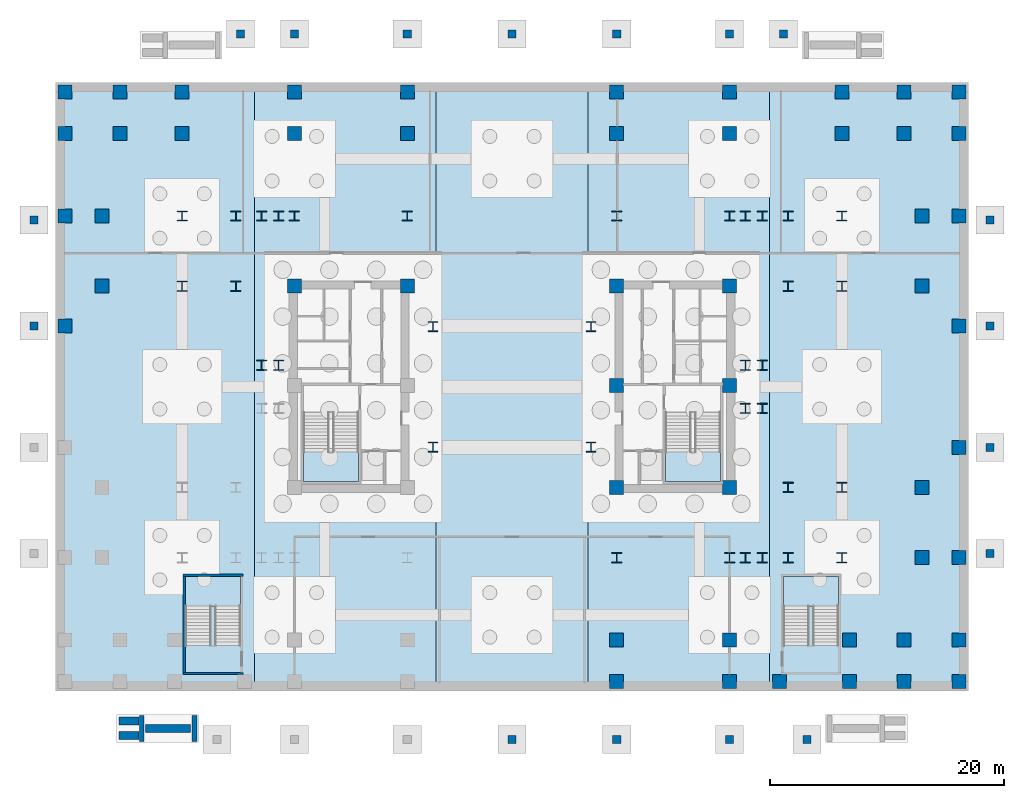
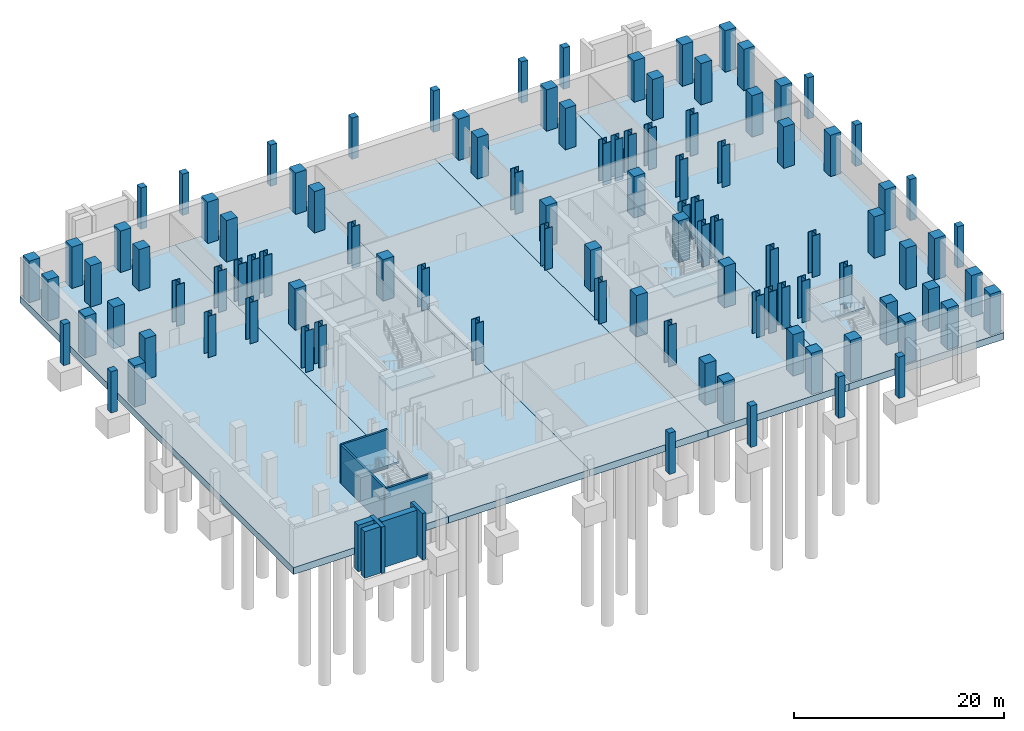
# One storey, part 2 of 10: 102 columns, 9 slabs, 8 walls, 4 elements without a shape of their own.
"""IFC4 building model written with IfcOpenShell, lengths in metres."""

from ifc_helpers import new_model, si_unit, direction, frame, frame_2d, origin, origin_2d, place, context, subcontext, project, spatial, polyline, rectangle, i_section, outline, extrude, material, layer, layer_set, material_profile, profile_set, type_object, element, aggregate, save


model = new_model("IFC4")

# Units and contexts
model_context = context("Model", 3, precision=1e-05, world=origin(), true_north=direction((0.0, 1.0)))
body_context = subcontext(model_context, "Body", "Model", "MODEL_VIEW")
ifc_project = project(units=[si_unit("LENGTHUNIT", "METRE"), si_unit("AREAUNIT", "SQUARE_METRE"), si_unit("VOLUMEUNIT", "CUBIC_METRE"), si_unit("PLANEANGLEUNIT", "RADIAN"), si_unit("MASSUNIT", "GRAM", prefix="KILO")], contexts=[model_context])

# Site, building, storey
site_placement = place(None, origin())
site = spatial("IfcSite", under=ifc_project, at=site_placement, CompositionType="ELEMENT")
building_placement = place(site_placement, origin())
building = spatial("IfcBuilding", under=site, at=building_placement, Name="Velakula Bourse", CompositionType="ELEMENT")
storey_placement = place(building_placement, frame((0.0, 0.0, -9.60009765625)))
storey = spatial("IfcBuildingStorey", under=building, at=storey_placement, Name="B02", CompositionType="ELEMENT", Elevation=-9.60009765625)

# Columns
ifc_material_1 = material(Name="Concrete M70 (fck 70 MPa)", Category="concrete")
ifc_material_profile_1 = material_profile(ifc_material_1, rectangle(XDim=1.199951171875, YDim=1.199951171875, at=origin_2d()), Name="Concrete M70 (fck 70 MPa)")
ifc_profile_set_1 = profile_set([ifc_material_profile_1], Name="Concrete M70 (fck 70 MPa)")
column_type_1 = type_object("IfcColumnType", Name="COL-RC-1200", PredefinedType="COLUMN", material=ifc_profile_set_1)
for number, where, z_axis, x_axis, name in (
    (1, (-8.949951171875, 8.60009765625, 0.0), (0.0, 0.0, 1.0), (1.0, 0.0, 0.0), "B02 Core Boundary Column 03"),
    (2, (-18.60009765625, 8.60009765625, 0.0), (0.0, 0.0, 1.0), (1.0, 0.0, 0.0), "B02 Core Boundary Column 06"),
    (3, (8.949951171875, -8.60009765625, 0.0), (0.0, 0.0, 1.0), (1.0, 0.0, 0.0), "B02 Core Boundary Column 07"),
    (4, (8.949951171875, 0.10009765625, 0.0), (0.0, 0.0, 1.0), (1.0, 0.0, 0.0), "B02 Core Boundary Column 08"),
    (5, (8.949951171875, 8.60009765625, 0.0), (0.0, 0.0, 1.0), (1.0, 0.0, 0.0), "B02 Core Boundary Column 09"),
    (6, (18.60009765625, -8.60009765625, 0.0), (0.0, 0.0, 1.0), (1.0, 0.0, 0.0), "B02 Core Boundary Column 10"),
    (7, (18.60009765625, 0.10009765625, 0.0), (0.0, 0.0, 1.0), (1.0, 0.0, 0.0), "B02 Core Boundary Column 11"),
    (8, (18.60009765625, 8.60009765625, 0.0), (0.0, 0.0, 1.0), (1.0, 0.0, 0.0), "B02 Core Boundary Column 12"),
    (9, (-35.050048828125, 8.60009765625, 0.0), (0.0, 0.0, 1.0), (1.0, 0.0, 0.0), "B02 Station Podium Grid Column 03"),
    (10, (-35.050048828125, 14.60009765625, 0.0), (0.0, 0.0, 1.0), (1.0, 0.0, 0.0), "B02 Station Podium Grid Column 04"),
    (11, (35.050048828125, -14.60009765625, 0.0), (0.0, 0.0, 1.0), (1.0, 0.0, 0.0), "B02 Station Podium Grid Column 05"),
    (12, (35.050048828125, -8.60009765625, 0.0), (0.0, 0.0, 1.0), (1.0, 0.0, 0.0), "B02 Station Podium Grid Column 06"),
    (13, (35.050048828125, 8.60009765625, 0.0), (0.0, 0.0, 1.0), (1.0, 0.0, 0.0), "B02 Station Podium Grid Column 07"),
    (14, (35.050048828125, 14.60009765625, 0.0), (0.0, 0.0, 1.0), (1.0, 0.0, 0.0), "B02 Station Podium Grid Column 08"),
    (15, (-38.199951171875, 21.64990234375, 0.0), (0.0, 0.0, 1.0), (1.0, 0.0, 0.0), "B02 Station Podium Grid Column 10"),
    (16, (-33.5, 21.64990234375, 0.0), (0.0, 0.0, 1.0), (1.0, 0.0, 0.0), "B02 Station Podium Grid Column 12"),
    (17, (-28.199951171875, 21.64990234375, 0.0), (0.0, 0.0, 1.0), (1.0, 0.0, 0.0), "B02 Station Podium Grid Column 14"),
    (18, (-18.60009765625, 21.64990234375, 0.0), (0.0, 0.0, 1.0), (1.0, 0.0, 0.0), "B02 Station Podium Grid Column 16"),
    (19, (-8.949951171875, 21.64990234375, 0.0), (0.0, 0.0, 1.0), (1.0, 0.0, 0.0), "B02 Station Podium Grid Column 18"),
    (20, (8.949951171875, -21.64990234375, 0.0), (0.0, 0.0, 1.0), (1.0, 0.0, 0.0), "B02 Station Podium Grid Column 19"),
    (21, (8.949951171875, 21.64990234375, 0.0), (0.0, 0.0, 1.0), (1.0, 0.0, 0.0), "B02 Station Podium Grid Column 20"),
    (22, (18.60009765625, -21.64990234375, 0.0), (0.0, 0.0, 1.0), (1.0, 0.0, 0.0), "B02 Station Podium Grid Column 21"),
    (23, (18.60009765625, 21.64990234375, 0.0), (0.0, 0.0, 1.0), (1.0, 0.0, 0.0), "B02 Station Podium Grid Column 22"),
    (24, (28.85009765625, -21.64990234375, 0.0), (0.0, 0.0, 1.0), (1.0, 0.0, 0.0), "B02 Station Podium Grid Column 23"),
    (25, (28.199951171875, 21.64990234375, 0.0), (0.0, 0.0, 1.0), (1.0, 0.0, 0.0), "B02 Station Podium Grid Column 24"),
    (26, (33.5, -21.64990234375, 0.0), (0.0, 0.0, 1.0), (1.0, 0.0, 0.0), "B02 Station Podium Grid Column 25"),
    (27, (33.5, 21.64990234375, 0.0), (0.0, 0.0, 1.0), (1.0, 0.0, 0.0), "B02 Station Podium Grid Column 26"),
    (28, (38.199951171875, -21.64990234375, 0.0), (0.0, 0.0, 1.0), (1.0, 0.0, 0.0), "B02 Station Podium Grid Column 27"),
    (29, (38.199951171875, 21.64990234375, 0.0), (0.0, 0.0, 1.0), (1.0, 0.0, 0.0), "B02 Station Podium Grid Column 28"),
    (30, (-38.199951171875, 25.199951171875, 0.0), (0.0, 0.0, 1.0), (1.0, 0.0, 0.0), "B02 Station Podium Grid Column 30"),
    (31, (-33.5, 25.199951171875, 0.0), (0.0, 0.0, 1.0), (1.0, 0.0, 0.0), "B02 Station Podium Grid Column 32"),
    (32, (-28.199951171875, 25.199951171875, 0.0), (0.0, 0.0, 1.0), (1.0, 0.0, 0.0), "B02 Station Podium Grid Column 34"),
    (33, (22.85009765625, -25.199951171875, 0.0), (0.0, 0.0, 1.0), (1.0, 0.0, 0.0), "B02 Station Podium Grid Column 36"),
    (34, (-18.60009765625, 25.199951171875, 0.0), (0.0, 0.0, 1.0), (1.0, 0.0, 0.0), "B02 Station Podium Grid Column 40"),
    (35, (-8.949951171875, 25.199951171875, 0.0), (0.0, 0.0, 1.0), (1.0, 0.0, 0.0), "B02 Station Podium Grid Column 42"),
    (36, (8.949951171875, -25.199951171875, 0.0), (0.0, 0.0, 1.0), (1.0, 0.0, 0.0), "B02 Station Podium Grid Column 43"),
    (37, (8.949951171875, 25.199951171875, 0.0), (0.0, 0.0, 1.0), (1.0, 0.0, 0.0), "B02 Station Podium Grid Column 44"),
    (38, (18.60009765625, -25.199951171875, 0.0), (0.0, 0.0, 1.0), (1.0, 0.0, 0.0), "B02 Station Podium Grid Column 45"),
    (39, (18.60009765625, 25.199951171875, 0.0), (0.0, 0.0, 1.0), (1.0, 0.0, 0.0), "B02 Station Podium Grid Column 46"),
    (40, (28.85009765625, -25.199951171875, 0.0), (0.0, 0.0, 1.0), (1.0, 0.0, 0.0), "B02 Station Podium Grid Column 47"),
    (41, (28.199951171875, 25.199951171875, 0.0), (0.0, 0.0, 1.0), (1.0, 0.0, 0.0), "B02 Station Podium Grid Column 48"),
    (42, (33.5, -25.199951171875, 0.0), (0.0, 0.0, 1.0), (1.0, 0.0, 0.0), "B02 Station Podium Grid Column 49"),
    (43, (33.5, 25.199951171875, 0.0), (0.0, 0.0, 1.0), (1.0, 0.0, 0.0), "B02 Station Podium Grid Column 50"),
    (44, (38.199951171875, -25.199951171875, 0.0), (0.0, 0.0, 1.0), (1.0, 0.0, 0.0), "B02 Station Podium Grid Column 51"),
    (45, (38.199951171875, 25.199951171875, 0.0), (0.0, 0.0, 1.0), (1.0, 0.0, 0.0), "B02 Station Podium Grid Column 52"),
    (46, (-38.199951171875, 5.199951171875, 0.0), (0.0, 0.0, 1.0), (1.0, 0.0, 0.0), "B02 Station Podium Grid Column 55"),
    (47, (-38.199951171875, 14.60009765625, 0.0), (0.0, 0.0, 1.0), (1.0, 0.0, 0.0), "B02 Station Podium Grid Column 56"),
    (48, (38.199951171875, -14.60009765625, 0.0), (0.0, 0.0, 1.0), (1.0, 0.0, 0.0), "B02 Station Podium Grid Column 57"),
    (49, (38.199951171875, -5.199951171875, 0.0), (0.0, 0.0, 1.0), (1.0, 0.0, 0.0), "B02 Station Podium Grid Column 58"),
    (50, (38.199951171875, 5.199951171875, 0.0), (0.0, 0.0, 1.0), (1.0, 0.0, 0.0), "B02 Station Podium Grid Column 59"),
    (51, (38.199951171875, 14.60009765625, 0.0), (0.0, 0.0, 1.0), (1.0, 0.0, 0.0), "B02 Station Podium Grid Column 60"),
):
    element("IfcColumn", number, at=place(storey_placement, frame(where, z_axis=z_axis, x_axis=x_axis)), inside=storey, type_object=column_type_1, Name=name, PredefinedType="COLUMN", context=body_context, shape_type="SweptSolid", body=[
        extrude(rectangle(XDim=1.199951171875, YDim=1.199951171875, at=origin_2d()), origin(), (0.0, 0.0, 1.0), 4.800048828125),
    ])
ifc_material_2 = material(Name="Concrete M50 (fck 50 MPa)", Category="concrete")
ifc_material_profile_2 = material_profile(ifc_material_2, rectangle(XDim=0.699951171875, YDim=0.699951171875, at=origin_2d()), Name="Concrete M50 (fck 50 MPa)")
ifc_profile_set_2 = profile_set([ifc_material_profile_2], Name="Concrete M50 (fck 50 MPa)")
column_type_2 = type_object("IfcColumnType", Name="COL-RC-700", PredefinedType="COLUMN", material=ifc_profile_set_2)
for number, where, z_axis, x_axis, name in (
    (52, (0.0, -30.14990234375, 0.0), (0.0, 0.0, 1.0), (1.0, 0.0, 0.0), "B02 Forecourt Support Pier 04"),
    (53, (8.949951171875, -30.14990234375, 0.0), (0.0, 0.0, 1.0), (1.0, 0.0, 0.0), "B02 Forecourt Support Pier 05"),
    (54, (18.60009765625, -30.14990234375, 0.0), (0.0, 0.0, 1.0), (1.0, 0.0, 0.0), "B02 Forecourt Support Pier 06"),
    (55, (25.199951171875, -30.14990234375, 0.0), (0.0, 0.0, 1.0), (1.0, 0.0, 0.0), "B02 Forecourt Support Pier 07"),
    (56, (-23.199951171875, 30.14990234375, 0.0), (0.0, 0.0, 1.0), (1.0, 0.0, 0.0), "B02 Forecourt Support Pier 08"),
    (57, (-18.60009765625, 30.14990234375, 0.0), (0.0, 0.0, 1.0), (1.0, 0.0, 0.0), "B02 Forecourt Support Pier 09"),
    (58, (-8.949951171875, 30.14990234375, 0.0), (0.0, 0.0, 1.0), (1.0, 0.0, 0.0), "B02 Forecourt Support Pier 10"),
    (59, (0.0, 30.14990234375, 0.0), (0.0, 0.0, 1.0), (1.0, 0.0, 0.0), "B02 Forecourt Support Pier 11"),
    (60, (8.949951171875, 30.14990234375, 0.0), (0.0, 0.0, 1.0), (1.0, 0.0, 0.0), "B02 Forecourt Support Pier 12"),
    (61, (18.60009765625, 30.14990234375, 0.0), (0.0, 0.0, 1.0), (1.0, 0.0, 0.0), "B02 Forecourt Support Pier 13"),
    (62, (23.199951171875, 30.14990234375, 0.0), (0.0, 0.0, 1.0), (1.0, 0.0, 0.0), "B02 Forecourt Support Pier 14"),
    (63, (-40.85009765625, 5.199951171875, 0.0), (0.0, 0.0, 1.0), (1.0, 0.0, 0.0), "B02 Forecourt Support Pier 17"),
    (64, (-40.85009765625, 14.25, 0.0), (0.0, 0.0, 1.0), (1.0, 0.0, 0.0), "B02 Forecourt Support Pier 18"),
    (65, (40.85009765625, -14.25, 0.0), (0.0, 0.0, 1.0), (1.0, 0.0, 0.0), "B02 Forecourt Support Pier 19"),
    (66, (40.85009765625, -5.199951171875, 0.0), (0.0, 0.0, 1.0), (1.0, 0.0, 0.0), "B02 Forecourt Support Pier 20"),
    (67, (40.85009765625, 5.199951171875, 0.0), (0.0, 0.0, 1.0), (1.0, 0.0, 0.0), "B02 Forecourt Support Pier 21"),
    (68, (40.85009765625, 14.25, 0.0), (0.0, 0.0, 1.0), (1.0, 0.0, 0.0), "B02 Forecourt Support Pier 22"),
):
    element("IfcColumn", number, at=place(storey_placement, frame(where, z_axis=z_axis, x_axis=x_axis)), inside=storey, type_object=column_type_2, Name=name, PredefinedType="COLUMN", context=body_context, shape_type="SweptSolid", body=[
        extrude(rectangle(XDim=0.699951171875, YDim=0.699951171875, at=origin_2d()), origin(), (0.0, 0.0, 1.0), 4.800048828125),
    ])
ifc_material_3 = material(Name="Steel IS 2062 Grade 450 (E450)", Category="steel")
ifc_material_profile_3 = material_profile(ifc_material_3, i_section(OverallWidth=0.85009765625, OverallDepth=0.85009765625, WebThickness=0.031982421875, FlangeThickness=0.048095703125, at=origin_2d()), Name="Steel IS 2062 Grade 450 (E450)")
ifc_profile_set_3 = profile_set([ifc_material_profile_3], Name="Steel IS 2062 Grade 450 (E450)")
column_type_3 = type_object("IfcColumnType", Name="COL-STL-850", PredefinedType="COLUMN", material=ifc_profile_set_3)
for number, where, z_axis, x_axis, name in (
    (69, (-6.75, -5.14990234375, 0.0), (0.0, 0.0, 1.0), (1.0, 0.0, 0.0), "B02 Central Spine Column 01"),
    (70, (-6.75, 5.14990234375, 0.0), (0.0, 0.0, 1.0), (1.0, 0.0, 0.0), "B02 Central Spine Column 02"),
    (71, (6.75, -5.14990234375, 0.0), (0.0, 0.0, 1.0), (1.0, 0.0, 0.0), "B02 Central Spine Column 03"),
    (72, (6.75, 5.14990234375, 0.0), (0.0, 0.0, 1.0), (1.0, 0.0, 0.0), "B02 Central Spine Column 04"),
    (73, (-21.39990234375, 14.60009765625, 0.0), (0.0, 0.0, 1.0), (1.0, 0.0, 0.0), "B02 Tower Fulcrum Column 02"),
    (74, (-19.949951171875, 14.60009765625, 0.0), (0.0, 0.0, 1.0), (1.0, 0.0, 0.0), "B02 Tower Fulcrum Column 04"),
    (75, (-18.60009765625, 14.60009765625, 0.0), (0.0, 0.0, 1.0), (1.0, 0.0, 0.0), "B02 Tower Fulcrum Column 06"),
    (76, (-8.949951171875, 14.60009765625, 0.0), (0.0, 0.0, 1.0), (1.0, 0.0, 0.0), "B02 Tower Fulcrum Column 08"),
    (77, (8.949951171875, -14.60009765625, 0.0), (0.0, 0.0, 1.0), (1.0, 0.0, 0.0), "B02 Tower Fulcrum Column 09"),
    (78, (8.949951171875, 14.60009765625, 0.0), (0.0, 0.0, 1.0), (1.0, 0.0, 0.0), "B02 Tower Fulcrum Column 10"),
    (79, (18.60009765625, -14.60009765625, 0.0), (0.0, 0.0, 1.0), (1.0, 0.0, 0.0), "B02 Tower Fulcrum Column 11"),
    (80, (18.60009765625, 14.60009765625, 0.0), (0.0, 0.0, 1.0), (1.0, 0.0, 0.0), "B02 Tower Fulcrum Column 12"),
    (81, (19.949951171875, -14.60009765625, 0.0), (0.0, 0.0, 1.0), (1.0, 0.0, 0.0), "B02 Tower Fulcrum Column 13"),
    (82, (19.949951171875, 14.60009765625, 0.0), (0.0, 0.0, 1.0), (1.0, 0.0, 0.0), "B02 Tower Fulcrum Column 14"),
    (83, (21.39990234375, -14.60009765625, 0.0), (0.0, 0.0, 1.0), (1.0, 0.0, 0.0), "B02 Tower Fulcrum Column 15"),
    (84, (21.39990234375, 14.60009765625, 0.0), (0.0, 0.0, 1.0), (1.0, 0.0, 0.0), "B02 Tower Fulcrum Column 16"),
    (85, (-21.39990234375, 1.85009765625, 0.0), (0.0, 0.0, 1.0), (1.0, 0.0, 0.0), "B02 Tower Fulcrum Column 18"),
    (86, (-19.949951171875, 1.85009765625, 0.0), (0.0, 0.0, 1.0), (1.0, 0.0, 0.0), "B02 Tower Fulcrum Column 20"),
    (87, (19.949951171875, -1.85009765625, 0.0), (0.0, 0.0, 1.0), (1.0, 0.0, 0.0), "B02 Tower Fulcrum Column 21"),
    (88, (19.949951171875, 1.85009765625, 0.0), (0.0, 0.0, 1.0), (1.0, 0.0, 0.0), "B02 Tower Fulcrum Column 22"),
    (89, (21.39990234375, -1.85009765625, 0.0), (0.0, 0.0, 1.0), (1.0, 0.0, 0.0), "B02 Tower Fulcrum Column 23"),
    (90, (21.39990234375, 1.85009765625, 0.0), (0.0, 0.0, 1.0), (1.0, 0.0, 0.0), "B02 Tower Fulcrum Column 24"),
    (91, (-23.60009765625, 8.60009765625, 0.0), (0.0, 0.0, 1.0), (1.0, 0.0, 0.0), "B02 Mid-Wing Plumb Column 03"),
    (92, (-23.60009765625, 14.60009765625, 0.0), (0.0, 0.0, 1.0), (1.0, 0.0, 0.0), "B02 Mid-Wing Plumb Column 04"),
    (93, (23.60009765625, -14.60009765625, 0.0), (0.0, 0.0, 1.0), (1.0, 0.0, 0.0), "B02 Mid-Wing Plumb Column 05"),
    (94, (23.60009765625, -8.60009765625, 0.0), (0.0, 0.0, 1.0), (1.0, 0.0, 0.0), "B02 Mid-Wing Plumb Column 06"),
    (95, (23.60009765625, 8.60009765625, 0.0), (0.0, 0.0, 1.0), (1.0, 0.0, 0.0), "B02 Mid-Wing Plumb Column 07"),
    (96, (23.60009765625, 14.60009765625, 0.0), (0.0, 0.0, 1.0), (1.0, 0.0, 0.0), "B02 Mid-Wing Plumb Column 08"),
    (97, (-28.199951171875, 8.60009765625, 0.0), (0.0, 0.0, 1.0), (1.0, 0.0, 0.0), "B02 Lower Wing Column 03"),
    (98, (-28.199951171875, 14.60009765625, 0.0), (0.0, 0.0, 1.0), (1.0, 0.0, 0.0), "B02 Lower Wing Column 04"),
    (99, (28.199951171875, -14.60009765625, 0.0), (0.0, 0.0, 1.0), (1.0, 0.0, 0.0), "B02 Lower Wing Column 05"),
    (100, (28.199951171875, -8.60009765625, 0.0), (0.0, 0.0, 1.0), (1.0, 0.0, 0.0), "B02 Lower Wing Column 06"),
    (101, (28.199951171875, 8.60009765625, 0.0), (0.0, 0.0, 1.0), (1.0, 0.0, 0.0), "B02 Lower Wing Column 07"),
    (102, (28.199951171875, 14.60009765625, 0.0), (0.0, 0.0, 1.0), (1.0, 0.0, 0.0), "B02 Lower Wing Column 08"),
):
    element("IfcColumn", number, at=place(storey_placement, frame(where, z_axis=z_axis, x_axis=x_axis)), inside=storey, type_object=column_type_3, Name=name, PredefinedType="COLUMN", context=body_context, shape_type="SweptSolid", body=[
        extrude(i_section(OverallWidth=0.85009765625, OverallDepth=0.85009765625, WebThickness=0.031982421875, FlangeThickness=0.048095703125, at=origin_2d()), origin(), (0.0, 0.0, 1.0), 4.800048828125),
    ])

# Slabs
ifc_layer_1 = layer(ifc_material_1, 0.800048828125, Name="Concrete M70 (fck 70 MPa)", Category="concrete")
ifc_layer_set_1 = layer_set([ifc_layer_1], Name="Concrete M70 (fck 70 MPa)")
slab_type_1 = type_object("IfcSlabType", Name="SLB-RAFT-800", PredefinedType="BASESLAB", material=ifc_layer_set_1)
slab_1_placement = place(storey_placement, frame((0.0, 0.0, -0.7998046875)))
element("IfcSlab", 103, at=slab_1_placement, inside=storey, type_object=slab_type_1, Name="B02 Piled Raft Base Slab Bay 1", PredefinedType="BASESLAB", context=body_context, shape_type="SweptSolid", body=[
    extrude(outline(polyline([(-39.0, -26.0), (-22.0, -26.0), (-22.0, 26.0), (-39.0, 26.0), (-39.0, -26.0)])), origin(), (0.0, 0.0, 1.0), 0.7998046875),
])
slab_2_placement = place(storey_placement, frame((0.0, 0.0, -0.7998046875)))
element("IfcSlab", 104, at=slab_2_placement, inside=storey, type_object=slab_type_1, Name="B02 Piled Raft Base Slab Bay 2", PredefinedType="BASESLAB", context=body_context, shape_type="SweptSolid", body=[
    extrude(outline(polyline([(-22.0, -26.0), (-6.5, -26.0), (-6.5, 26.0), (-22.0, 26.0), (-22.0, -26.0)])), origin(), (0.0, 0.0, 1.0), 0.7998046875),
])
slab_3_placement = place(storey_placement, frame((0.0, 0.0, -0.7998046875)))
element("IfcSlab", 105, at=slab_3_placement, inside=storey, type_object=slab_type_1, Name="B02 Piled Raft Base Slab Bay 3", PredefinedType="BASESLAB", context=body_context, shape_type="SweptSolid", body=[
    extrude(outline(polyline([(-6.5, -26.0), (6.5, -26.0), (6.5, 26.0), (-6.5, 26.0), (-6.5, -26.0)])), origin(), (0.0, 0.0, 1.0), 0.7998046875),
])
slab_4_placement = place(storey_placement, frame((0.0, 0.0, -0.7998046875)))
element("IfcSlab", 106, at=slab_4_placement, inside=storey, type_object=slab_type_1, Name="B02 Piled Raft Base Slab Bay 4", PredefinedType="BASESLAB", context=body_context, shape_type="SweptSolid", body=[
    extrude(outline(polyline([(6.5, -26.0), (22.0, -26.0), (22.0, 26.0), (6.5, 26.0), (6.5, -26.0)])), origin(), (0.0, 0.0, 1.0), 0.7998046875),
])
slab_5_placement = place(storey_placement, frame((0.0, 0.0, -0.7998046875)))
element("IfcSlab", 107, at=slab_5_placement, inside=storey, type_object=slab_type_1, Name="B02 Piled Raft Base Slab Bay 5", PredefinedType="BASESLAB", context=body_context, shape_type="SweptSolid", body=[
    extrude(outline(polyline([(22.0, -26.0), (39.0, -26.0), (39.0, 26.0), (22.0, 26.0), (22.0, -26.0)])), origin(), (0.0, 0.0, 1.0), 0.7998046875),
])

# Stair, slab
ifc_material_4 = material(Name="Concrete M45 (fck 45 MPa)", Category="concrete")
stair_type = type_object("IfcStairType", Name="STR-DOG-480", PredefinedType="HALF_TURN_STAIR", material=ifc_material_4)
stair_1_placement = place(storey_placement, origin())
stair_1 = element("IfcStair", 108, at=stair_1_placement, inside=storey, type_object=stair_type, Name="B02 West Core Exit Stair ST-W1", PredefinedType="HALF_TURN_STAIR")
ifc_layer_2 = layer(ifc_material_4, 0.199951171875, Name="Concrete M45 (fck 45 MPa)", Category="concrete")
ifc_layer_set_2 = layer_set([ifc_layer_2], Name="Concrete M45 (fck 45 MPa)")
slab_type_2 = type_object("IfcSlabType", Name="SLB-STAIR-LND-200", PredefinedType="LANDING", material=ifc_layer_set_2)
slab_6_placement = place(storey_placement, frame((0.0, 0.0, 2.2001953125)))
slab_6 = element("IfcSlab", 109, at=slab_6_placement, type_object=slab_type_2, Name="ST-W1 landing 1", PredefinedType="LANDING", context=body_context, shape_type="SweptSolid", body=[
    extrude(outline(polyline([(-17.820068359375, -5.56005859375), (-17.820068359375, -8.10009765625), (-13.10009765625, -8.10009765625), (-13.10009765625, -5.56005859375), (-17.820068359375, -5.56005859375)])), origin(), (0.0, 0.0, 1.0), 0.199951171875),
])
aggregate(stair_1, [slab_6])

stair_2_placement = place(storey_placement, origin())
stair_2 = element("IfcStair", 110, at=stair_2_placement, inside=storey, type_object=stair_type, Name="B02 East Core Exit Stair ST-E1", PredefinedType="HALF_TURN_STAIR")
slab_7_placement = place(storey_placement, frame((0.0, 0.0, 2.2001953125)))
slab_7 = element("IfcSlab", 111, at=slab_7_placement, type_object=slab_type_2, Name="ST-E1 landing 1", PredefinedType="LANDING", context=body_context, shape_type="SweptSolid", body=[
    extrude(outline(polyline([(13.10009765625, -5.56005859375), (13.10009765625, -8.10009765625), (17.820068359375, -8.10009765625), (17.820068359375, -5.56005859375), (13.10009765625, -5.56005859375)])), origin(), (0.0, 0.0, 1.0), 0.199951171875),
])
aggregate(stair_2, [slab_7])

stair_3_placement = place(storey_placement, origin())
stair_3 = element("IfcStair", 112, at=stair_3_placement, inside=storey, type_object=stair_type, Name="B02 West Podium Exit Stair ST-P1", PredefinedType="HALF_TURN_STAIR")
slab_8_placement = place(storey_placement, frame((0.0, 0.0, 2.2001953125)))
slab_8 = element("IfcSlab", 113, at=slab_8_placement, type_object=slab_type_2, Name="ST-P1 landing 1", PredefinedType="LANDING", context=body_context, shape_type="SweptSolid", body=[
    extrude(outline(polyline([(-23.199951171875, -18.739990234375), (-23.199951171875, -16.199951171875), (-27.919921875, -16.199951171875), (-27.919921875, -18.739990234375), (-23.199951171875, -18.739990234375)])), origin(), (0.0, 0.0, 1.0), 0.199951171875),
])
aggregate(stair_3, [slab_8])

stair_4_placement = place(storey_placement, origin())
stair_4 = element("IfcStair", 114, at=stair_4_placement, inside=storey, type_object=stair_type, Name="B02 East Podium Exit Stair ST-P2", PredefinedType="HALF_TURN_STAIR")
slab_9_placement = place(storey_placement, frame((0.0, 0.0, 2.2001953125)))
slab_9 = element("IfcSlab", 115, at=slab_9_placement, type_object=slab_type_2, Name="ST-P2 landing 1", PredefinedType="LANDING", context=body_context, shape_type="SweptSolid", body=[
    extrude(outline(polyline([(27.919921875, -18.739990234375), (27.919921875, -16.199951171875), (23.199951171875, -16.199951171875), (23.199951171875, -18.739990234375), (27.919921875, -18.739990234375)])), origin(), (0.0, 0.0, 1.0), 0.199951171875),
])
aggregate(stair_4, [slab_9])

# Walls
ifc_layer_3 = layer(ifc_material_2, 0.2099609375, Name="Concrete M50 (fck 50 MPa)", Category="concrete")
ifc_layer_set_3 = layer_set([ifc_layer_3], Name="Concrete M50 (fck 50 MPa)")
wall_type_1 = type_object("IfcWallType", Name="WL-CORE-210", PredefinedType="SHEAR", material=ifc_layer_set_3)
for number, where, z_axis, x_axis, name in (
    (116, (-28.1298828125, -24.5048828125, 0.0), (0.0, 0.0, 1.0), (1.0, 0.0, 0.0), "B02 Podium Stair ST-P1 Shear Wall S"),
    (117, (-28.1298828125, -16.094970703125, 0.0), (0.0, 0.0, 1.0), (1.0, 0.0, 0.0), "B02 Podium Stair ST-P1 Shear Wall N"),
):
    element("IfcWall", number, at=place(storey_placement, frame(where, z_axis=z_axis, x_axis=x_axis)), inside=storey, type_object=wall_type_1, Name=name, PredefinedType="SHEAR", context=body_context, shape_type="SweptSolid", body=[
        extrude(rectangle(XDim=5.139892578125, YDim=0.2099609375, at=frame_2d((2.56982421875, 0.0))), origin(), (0.0, 0.0, 1.0), 4.5),
    ])
wall_1_placement = place(storey_placement, frame((-28.02490234375, -24.39990234375, 0.0), z_axis=(0.0, 0.0, 1.0), x_axis=(0.0, 1.0, 0.0)))
element("IfcWall", 118, at=wall_1_placement, inside=storey, type_object=wall_type_1, Name="B02 Podium Stair ST-P1 Shear Wall W", PredefinedType="SHEAR", context=body_context, shape_type="SweptSolid", body=[
    extrude(rectangle(XDim=8.199951171875, YDim=0.2099609375, at=frame_2d((4.10009765625, 0.0))), origin(), (0.0, 0.0, 1.0), 4.5),
])
ifc_layer_4 = layer(ifc_material_1, 0.679931640625, Name="Concrete M70 (fck 70 MPa)", Category="concrete")
ifc_layer_set_4 = layer_set([ifc_layer_4], Name="Concrete M70 (fck 70 MPa)")
wall_type_2 = type_object("IfcWallType", Name="WL-RET-680", PredefinedType="SOLIDWALL", material=ifc_layer_set_4)
for number, where, z_axis, x_axis, name in (
    (119, (-31.639892578125, -30.300048828125, -0.599853515625), (0.0, 0.0, 1.0), (0.0, 1.0, 0.0), "B02 Flood-Ramp BOT Abutment Wall SW"),
    (120, (-27.139892578125, -30.300048828125, -0.599853515625), (0.0, 0.0, 1.0), (0.0, 1.0, 0.0), "B02 Flood-Ramp TOP Abutment Wall SW"),
):
    element("IfcWall", number, at=place(storey_placement, frame(where, z_axis=z_axis, x_axis=x_axis)), inside=storey, type_object=wall_type_2, Name=name, PredefinedType="SOLIDWALL", context=body_context, shape_type="SweptSolid", body=[
        extrude(rectangle(XDim=2.199951171875, YDim=0.39990234375, at=frame_2d((1.10009765625, 0.0))), origin(), (0.0, 0.0, 1.0), 5.39990234375),
    ])
wall_2_placement = place(storey_placement, frame((-31.320068359375, -29.199951171875, -0.599853515625), z_axis=(0.0, 0.0, 1.0), x_axis=(1.0, 0.0, 0.0)))
element("IfcWall", 121, at=wall_2_placement, inside=storey, type_object=wall_type_2, Name="B02 Flood-Ramp Central Retaining Stem Wall SW", PredefinedType="SOLIDWALL", context=body_context, shape_type="SweptSolid", body=[
    extrude(rectangle(XDim=3.840087890625, YDim=0.679931640625, at=frame_2d((1.919921875, 0.0))), origin(), (0.0, 0.0, 1.0), 5.39990234375),
])
for number, where, z_axis, x_axis, name in (
    (122, (-33.60009765625, -29.820068359375, -0.599853515625), (0.0, 0.0, 1.0), (1.0, 0.0, 0.0), "B02 Flood-Ramp Landing Stem Wall SW-1"),
    (123, (-33.60009765625, -28.580078125, -0.599853515625), (0.0, 0.0, 1.0), (1.0, 0.0, 0.0), "B02 Flood-Ramp Landing Stem Wall SW-2"),
):
    element("IfcWall", number, at=place(storey_placement, frame(where, z_axis=z_axis, x_axis=x_axis)), inside=storey, type_object=wall_type_2, Name=name, PredefinedType="SOLIDWALL", context=body_context, shape_type="SweptSolid", body=[
        extrude(rectangle(XDim=1.739990234375, YDim=0.679931640625, at=frame_2d((0.8701171875, 0.0))), origin(), (0.0, 0.0, 1.0), 5.39990234375),
    ])

save(model, "model.ifc")
